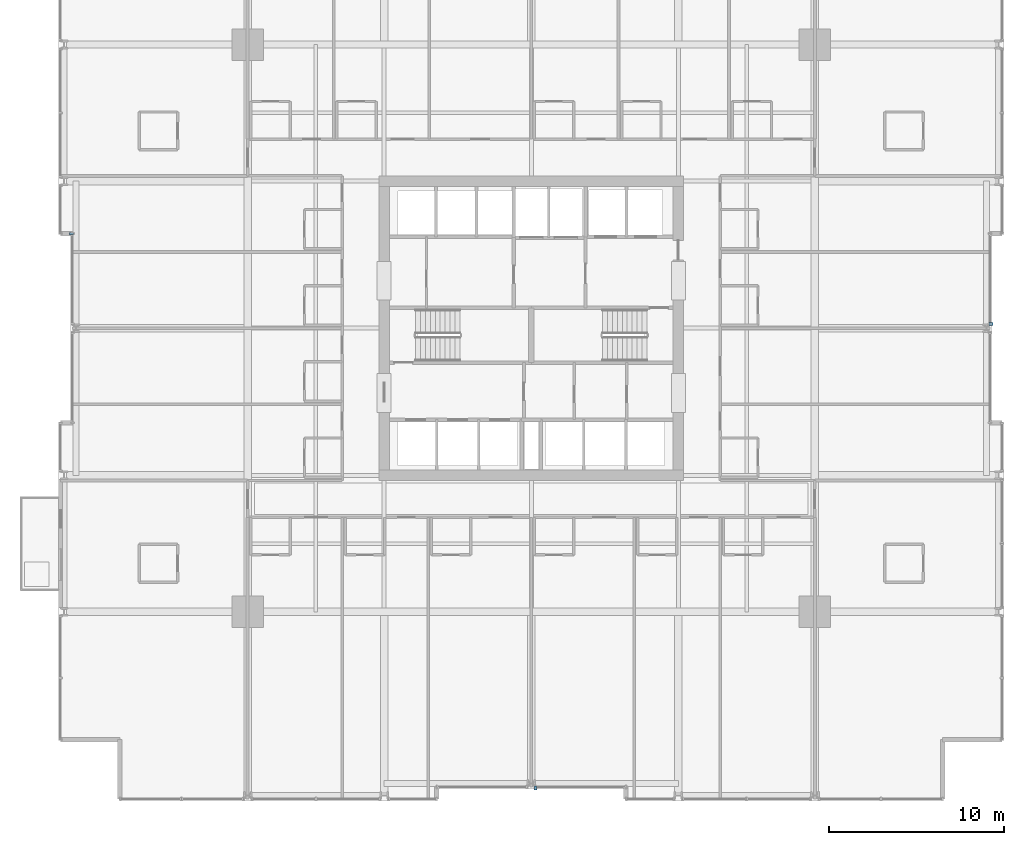
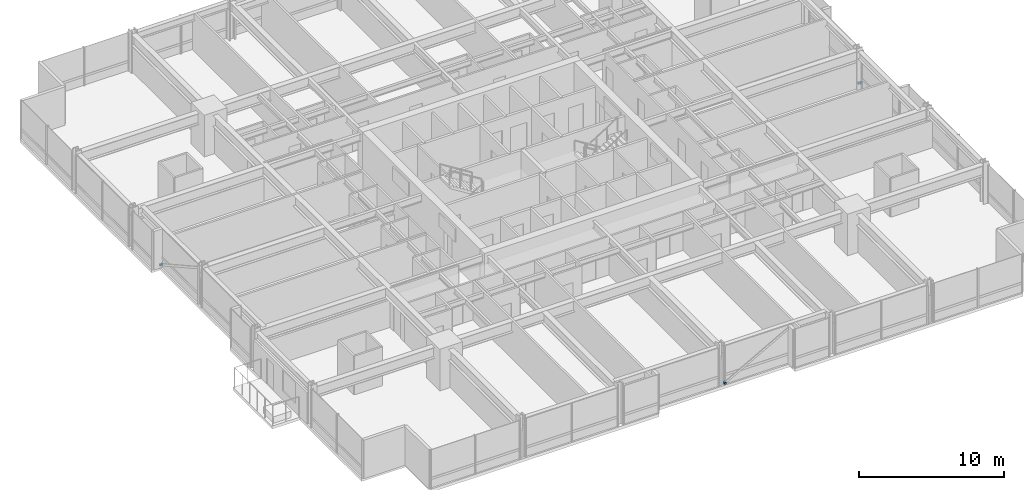
# One storey, part 35 of 39: 3 discrete accessories.
"""IFC4 building model written with IfcOpenShell, lengths in metres."""

from ifc_helpers import new_model, si_unit, direction, frame, origin, origin_2d, place, context, subcontext, project, spatial, rectangle, extrude, material, type_object, element, save


model = new_model("IFC4")

# Units and contexts
model_context = context("Model", 3, precision=1e-05, world=origin(), true_north=direction((0.0, 1.0)))
body_context = subcontext(model_context, "Body", "Model", "MODEL_VIEW")
ifc_project = project(units=[si_unit("LENGTHUNIT", "METRE"), si_unit("AREAUNIT", "SQUARE_METRE"), si_unit("VOLUMEUNIT", "CUBIC_METRE"), si_unit("PLANEANGLEUNIT", "RADIAN"), si_unit("MASSUNIT", "GRAM", prefix="KILO")], contexts=[model_context])

# Site, building, storey
site_placement = place(None, origin())
site = spatial("IfcSite", under=ifc_project, at=site_placement, CompositionType="ELEMENT")
building_placement = place(site_placement, origin())
building = spatial("IfcBuilding", under=site, at=building_placement, Name="Drelvath Grand Hotel", CompositionType="ELEMENT")
storey_placement = place(building_placement, frame((0.0, 0.0, 36.699951171875)))
storey = spatial("IfcBuildingStorey", under=building, at=storey_placement, Name="L07", CompositionType="ELEMENT", Elevation=36.699951171875)

# Discrete accessories
ifc_material = material(Name="Stainless Steel Grade 316", Category="steel")
discrete_accessory_type = type_object("IfcDiscreteAccessoryType", Name="Curtain Wall Fin Mounting Bracket Cleat", PredefinedType="BRACKET", material=ifc_material)
for number, where, z_axis, x_axis, name in (
    (1, (-26.260009765625, 32.39990234375, 0.10009765625), (0.0, 0.0, 1.0), (0.0, 1.0, 0.0), "L07 Fin Mounting Bracket CW02-L07-WM2-1"),
    (2, (26.260009765625, 27.240966796875, 0.10009765625), (0.0, 0.0, 1.0), (0.0, -1.0, 0.0), "L07 Fin Mounting Bracket CW02-L07-EM2-1"),
    (3, (0.240966796875, 0.739990234375, 0.10009765625), (0.0, 0.0, 1.0), (-1.0, 0.0, 0.0), "L07 Fin Mounting Bracket CW02-L07-SM2-1"),
):
    element("IfcDiscreteAccessory", number, at=place(storey_placement, frame(where, z_axis=z_axis, x_axis=x_axis)), inside=storey, type_object=discrete_accessory_type, Name=name, PredefinedType="BRACKET", context=body_context, shape_type="SweptSolid", body=[
        extrude(rectangle(XDim=0.159912109375, YDim=0.239990234375, at=origin_2d()), origin(), (0.0, 0.0, 1.0), 0.159912109375),
    ])

save(model, "model.ifc")
